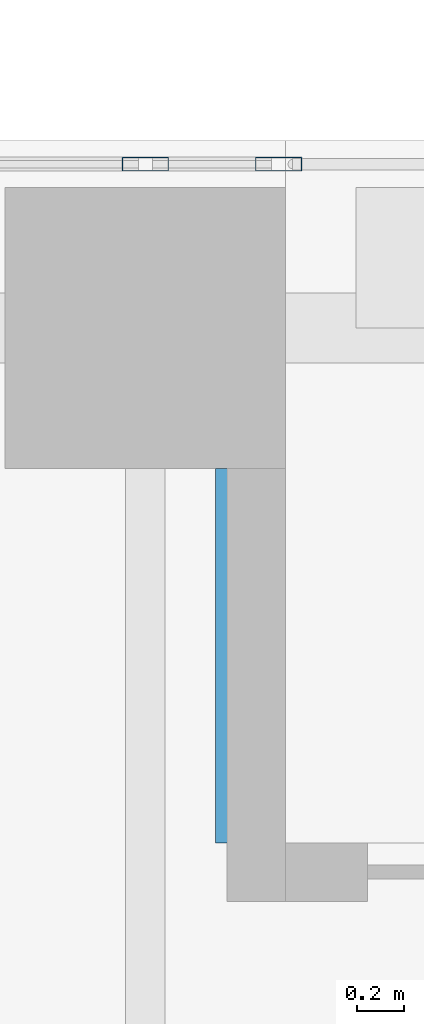
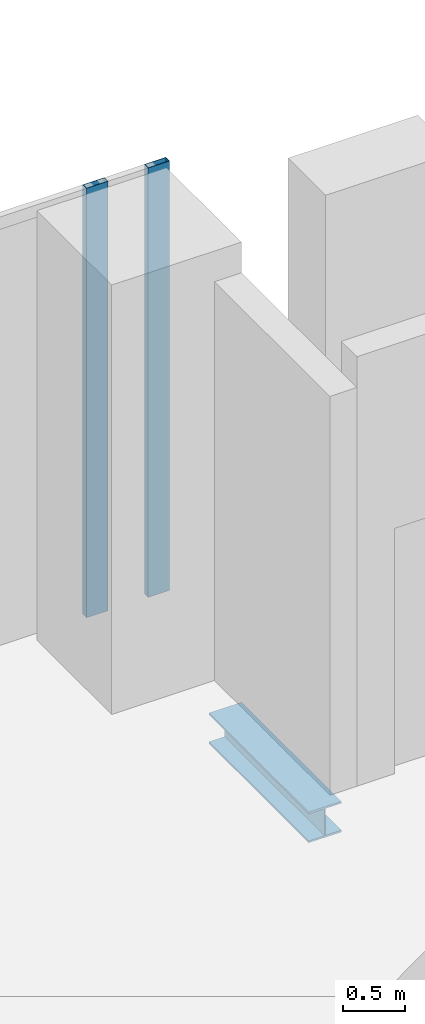
# One storey, part 16 of 36: 2 members, 1 beam, 1 element without a shape of its own.
"""IFC4 building model written with IfcOpenShell, lengths in metres."""

from ifc_helpers import new_model, si_unit, direction, frame, origin, origin_2d, place, context, subcontext, project, spatial, hollow_rectangle, i_section, extrude, source, transform, mapped, material, material_profile, profile_set, type_object, element, aggregate, save


model = new_model("IFC4")

# Units and contexts
model_context = context("Model", 3, precision=1e-05, world=origin(), true_north=direction((0.0, 1.0)))
body_context = subcontext(model_context, "Body", "Model", "MODEL_VIEW")
ifc_project = project(units=[si_unit("LENGTHUNIT", "METRE"), si_unit("AREAUNIT", "SQUARE_METRE"), si_unit("VOLUMEUNIT", "CUBIC_METRE"), si_unit("PLANEANGLEUNIT", "RADIAN"), si_unit("MASSUNIT", "GRAM", prefix="KILO")], contexts=[model_context])

# Site, building, storey
site_placement = place(None, origin())
site = spatial("IfcSite", under=ifc_project, at=site_placement, CompositionType="ELEMENT")
building_placement = place(site_placement, origin())
building = spatial("IfcBuilding", under=site, at=building_placement, Name="Khomas Fold Tower", CompositionType="ELEMENT")
storey_placement = place(building_placement, frame((0.0, 0.0, 46.5)))
storey = spatial("IfcBuildingStorey", under=building, at=storey_placement, Name="L09", CompositionType="ELEMENT", Elevation=46.5)

# Beam
ifc_material_1 = material(Name="Steel S355", Category="steel")
ifc_material_profile_1 = material_profile(ifc_material_1, i_section(OverallWidth=0.300048828125, OverallDepth=0.300048828125, WebThickness=0.010986328125, FlangeThickness=0.01904296875, at=origin_2d()), Name="HE 300 B")
ifc_profile_set_1 = profile_set([ifc_material_profile_1], Name="Steel S355")
beam_type = type_object("IfcBeamType", Name="HE 300 B beam BB1", PredefinedType="BEAM", material=ifc_profile_set_1)
shared_shape_1 = source(origin(), body_context, "Body", "SweptSolid", [
    extrude(i_section(OverallWidth=0.300048828125, OverallDepth=0.300048828125, WebThickness=0.010986328125, FlangeThickness=0.01904296875, at=origin_2d()), origin(), (0.0, 0.0, 1.0), 1.60009765625),
])
beam_placement = place(storey_placement, frame((27.449951171875, 51.0, -0.449951171875), z_axis=(0.0, 1.0, 0.0), x_axis=(-1.0, 0.0, 0.0)))
element("IfcBeam", 1, at=beam_placement, inside=storey, type_object=beam_type, Name="BB1", PredefinedType="BEAM", context=body_context, shape_type="MappedRepresentation", body=[
    mapped(shared_shape_1, transform((0.0, 0.0, 0.0))),
])

# Curtain wall, members
ifc_material_2 = material(Name="Aluminium framed double glazing", Category="aluminium")
curtain_wall_type = type_object("IfcCurtainWallType", Name="SK-Unitised clear-glass wall, growing floors CW1", PredefinedType="NOTDEFINED", material=ifc_material_2)
curtain_wall_placement = place(storey_placement, origin())
curtain_wall = element("IfcCurtainWall", 2, at=curtain_wall_placement, inside=storey, type_object=curtain_wall_type, Name="CW1 run L09 06-1", PredefinedType="NOTDEFINED")
ifc_material_3 = material(Name="Aluminium", Category="aluminium")
ifc_material_profile_2 = material_profile(ifc_material_3, hollow_rectangle(XDim=0.06005859375, YDim=0.199951171875, WallThickness=0.00390625, at=origin_2d()), Name="SK-Unitised clear-glass wall, growing floors mullion CW1-M")
ifc_profile_set_2 = profile_set([ifc_material_profile_2], Name="Aluminium")
member_type = type_object("IfcMemberType", Name="SK-Unitised clear-glass wall, growing floors mullion CW1-M", PredefinedType="MULLION", material=ifc_profile_set_2)
shared_shape_2 = source(origin(), body_context, "Body", "SweptSolid", [
    extrude(hollow_rectangle(XDim=0.06005859375, YDim=0.199951171875, WallThickness=0.00390625, at=origin_2d()), origin(), (0.0, 0.0, 1.0), 4.199951171875),
])
member_1_placement = place(storey_placement, frame((27.570068359375, 53.89990234375, 0.0), z_axis=(0.0, 0.0, 1.0), x_axis=(0.0, -1.0, 0.0)))
member_1 = element("IfcMember", 3, at=member_1_placement, type_object=member_type, Name="CW1 mullion 1", PredefinedType="MULLION", context=body_context, shape_type="MappedRepresentation", body=[
    mapped(shared_shape_2, transform((0.0, 0.0, 0.0))),
])
member_2_placement = place(storey_placement, frame((27.0, 53.89990234375, 0.0), z_axis=(0.0, 0.0, 1.0), x_axis=(0.0, -1.0, 0.0)))
member_2 = element("IfcMember", 4, at=member_2_placement, type_object=member_type, Name="CW1 mullion 2", PredefinedType="MULLION", context=body_context, shape_type="MappedRepresentation", body=[
    mapped(shared_shape_2, transform((0.0, 0.0, 0.0))),
])
aggregate(curtain_wall, [member_1, member_2])

save(model, "model.ifc")
